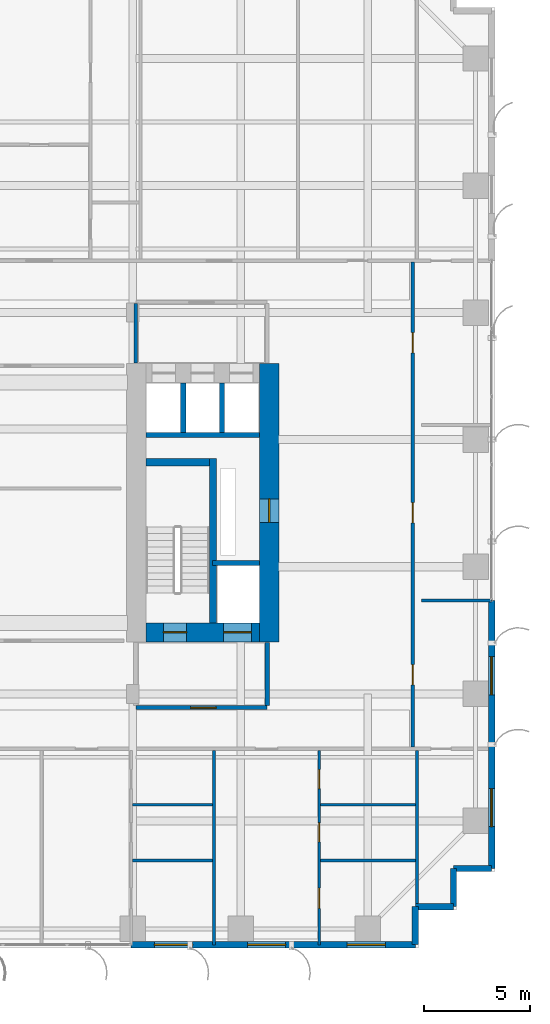
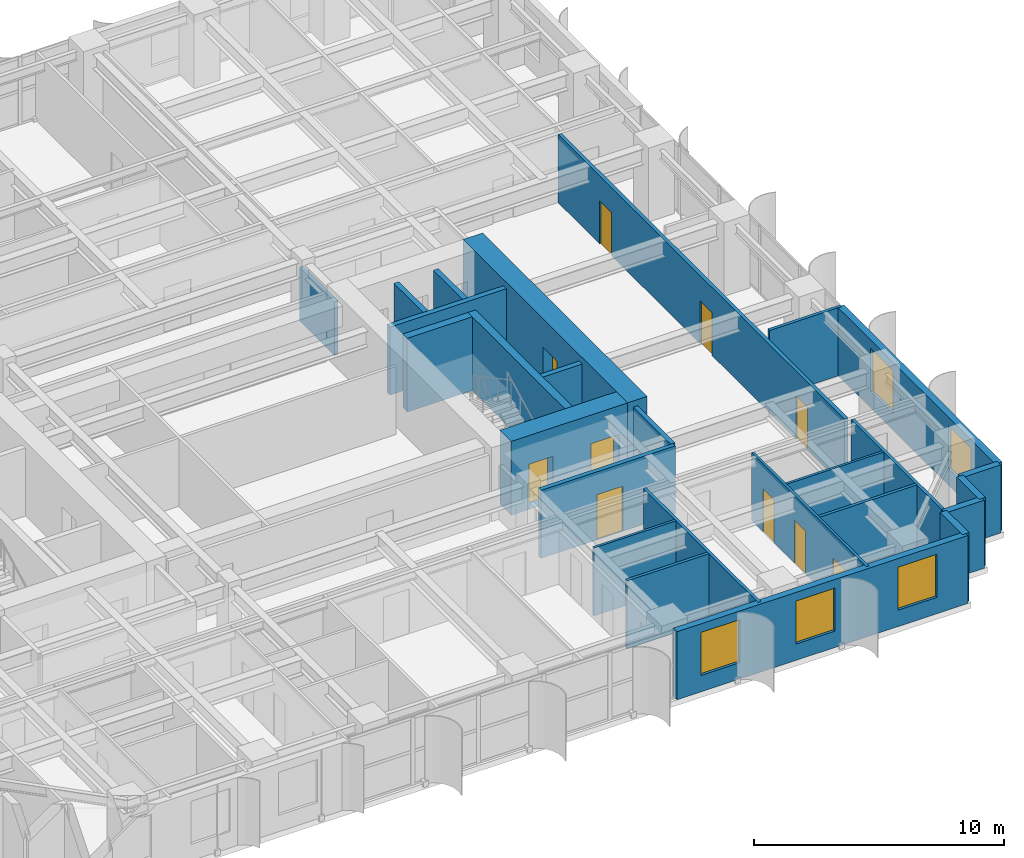
# One storey, part 17 of 23: 26 walls, 10 doors, 5 windows, 15 openings.
"""IFC4 building model written with IfcOpenShell, lengths in metres."""

import ifcopenshell
import ifcopenshell.guid

model = None  # the IFC model being written
_history = None  # IfcOwnerHistory: only IFC2X3 demands one
_inside = {}  # id of a spatial element -> (the spatial element, [elements in it])
_under = {}  # id of a project, library or spatial element -> (it, [spatial elements below it])
_declared = {}  # id of a project -> (the project, [libraries it declares])
_typed = {}  # id of a type object -> (the type object, [elements of that type])
_made_of = {}  # id of a material, layer set ... -> (it, [elements and type objects made of it])


def new_model(schema):
    """Start an empty IFC model of exactly this schema.

    Asked for "IFC4X3", IfcOpenShell would pick the latest addendum, in which some entities
    have other attributes; the version numbers below select the first issue.
    IFC2X3 requires an IfcOwnerHistory on every rooted entity: one is made here for all.
    """
    global model, _history
    if schema == "IFC4X3":
        model = ifcopenshell.file(schema_version=(4, 3, 0, 0))
    else:
        model = ifcopenshell.file(schema=schema)
    _inside.clear()
    _under.clear()
    _declared.clear()
    _typed.clear()
    _made_of.clear()
    _history = None
    if model.schema == "IFC2X3":
        org = make("IfcOrganization", Name="unknown")
        user = make(
            "IfcPersonAndOrganization",
            ThePerson=make("IfcPerson", FamilyName="unknown"),
            TheOrganization=org,
        )
        app = make(
            "IfcApplication",
            ApplicationDeveloper=org,
            Version="unknown",
            ApplicationFullName="unknown",
            ApplicationIdentifier="unknown",
        )
        _history = make(
            "IfcOwnerHistory",
            OwningUser=user,
            OwningApplication=app,
            ChangeAction="ADDED",
            CreationDate=0,
        )
    return model


def make(cls, **values):
    """One entity of the class cls with the attributes given. An attribute that is None is left unset."""
    return model.create_entity(
        cls, **{name: value for name, value in values.items() if value is not None}
    )


def rooted(cls, **values):
    """An entity with a GlobalId (a new one), such as an element, a storey or a relation."""
    return make(cls, GlobalId=ifcopenshell.guid.new(), OwnerHistory=_history, **values)


def si_unit(unit_type, name, prefix=None):
    """IfcSIUnit, for example si_unit("LENGTHUNIT", "METRE", prefix="MILLI")."""
    return make("IfcSIUnit", UnitType=unit_type, Prefix=prefix, Name=name)


def assignment(units):
    """IfcUnitAssignment: the units of a project."""
    return None if units is None else make("IfcUnitAssignment", Units=units)


def point(xyz):
    """IfcCartesianPoint."""
    return None if xyz is None else make("IfcCartesianPoint", Coordinates=xyz)


def direction(xyz):
    """IfcDirection."""
    return None if xyz is None else make("IfcDirection", DirectionRatios=xyz)


def frame(location, z_axis=None, x_axis=None):
    """IfcAxis2Placement3D, a coordinate frame: its origin and axes. An axis left out is left unset."""
    return make(
        "IfcAxis2Placement3D",
        Location=point(location),
        Axis=direction(z_axis),
        RefDirection=direction(x_axis),
    )


def frame_2d(location, x_axis=None):
    """IfcAxis2Placement2D, a coordinate frame in the plane: its origin and x axis."""
    return make(
        "IfcAxis2Placement2D", Location=point(location), RefDirection=direction(x_axis)
    )


def origin():
    """The frame at (0, 0, 0) with its axes left unset."""
    return frame((0.0, 0.0, 0.0))


def place(relative_to, where):
    """IfcLocalPlacement: puts the frame where relative to a parent placement (None: the world)."""
    return make(
        "IfcLocalPlacement", PlacementRelTo=relative_to, RelativePlacement=where
    )


def context(
    kind, dimensions, precision=None, world=None, true_north=None, identifier=None
):
    """IfcGeometricRepresentationContext, for example the 3D "Model" context."""
    return make(
        "IfcGeometricRepresentationContext",
        ContextIdentifier=identifier,
        ContextType=kind,
        CoordinateSpaceDimension=dimensions,
        Precision=precision,
        WorldCoordinateSystem=world,
        TrueNorth=true_north,
    )


def subcontext(parent, identifier, kind, view, scale=None):
    """IfcGeometricRepresentationSubContext, for example "Body" below "Model"."""
    return make(
        "IfcGeometricRepresentationSubContext",
        ContextIdentifier=identifier,
        ContextType=kind,
        ParentContext=parent,
        TargetScale=scale,
        TargetView=view,
    )


def project(units=None, contexts=None):
    """IfcProject with its units and contexts."""
    return rooted(
        "IfcProject",
        Name="project",
        RepresentationContexts=contexts,
        UnitsInContext=assignment(units),
    )


def spatial(cls, under=None, at=None, **own):
    """A site, building, storey or space (cls), placed at a placement, below another one or the project."""
    s = rooted(cls, ObjectPlacement=at, **own)
    if under is not None:
        _under.setdefault(under.id(), (under, []))[1].append(s)
    return s


def profile(cls, at=None, kind="AREA", **sizes):
    """A parametric profile (cls). Its sizes go by their IFC names, for example OverallWidth=200.0."""
    return make(cls, ProfileType=kind, Position=at, **sizes)


def rectangle(**sizes):
    """IfcRectangleProfileDef."""
    return profile("IfcRectangleProfileDef", **sizes)


def extrude(swept, where, along, depth):
    """IfcExtrudedAreaSolid: the profile swept, set in the frame where, extruded along a direction by depth."""
    return make(
        "IfcExtrudedAreaSolid",
        SweptArea=swept,
        Position=where,
        ExtrudedDirection=direction(along),
        Depth=depth,
    )


def shape(context_of_items, identifier, shape_type, items):
    """IfcShapeRepresentation: the items that make up one representation, for example the "Body"."""
    return make(
        "IfcShapeRepresentation",
        ContextOfItems=context_of_items,
        RepresentationIdentifier=identifier,
        RepresentationType=shape_type,
        Items=items,
    )


def source(mapping_origin, context_of_items, identifier, shape_type, items):
    """IfcRepresentationMap: a shape defined once, which mapped items show again and again."""
    return make(
        "IfcRepresentationMap",
        MappingOrigin=mapping_origin,
        MappedRepresentation=shape(context_of_items, identifier, shape_type, items),
    )


def transform(
    local_origin,
    x_axis=None,
    y_axis=None,
    z_axis=None,
    scale=None,
    scale2=None,
    scale3=None,
    uniform=True,
):
    """IfcCartesianTransformationOperator3D, or its non-uniform kind. x_axis, y_axis, z_axis: its Axis1, 2, 3."""
    if uniform:
        return make(
            "IfcCartesianTransformationOperator3D",
            Axis1=direction(x_axis),
            Axis2=direction(y_axis),
            LocalOrigin=point(local_origin),
            Scale=scale,
            Axis3=direction(z_axis),
        )
    return make(
        "IfcCartesianTransformationOperator3DnonUniform",
        Axis1=direction(x_axis),
        Axis2=direction(y_axis),
        LocalOrigin=point(local_origin),
        Scale=scale,
        Axis3=direction(z_axis),
        Scale2=scale2,
        Scale3=scale3,
    )


def mapped(mapping_source, mapping_target):
    """IfcMappedItem: shows the shape of a source again, moved by a transform."""
    return make(
        "IfcMappedItem", MappingSource=mapping_source, MappingTarget=mapping_target
    )


def material(Name=None, Category=None):
    """IfcMaterial."""
    return make("IfcMaterial", Name=Name, Category=Category)


def layer(
    of_material, thickness, ventilated=None, Name=None, Category=None, Priority=None
):
    """IfcMaterialLayer: one layer of a wall or slab, of a material (None: an air gap)."""
    return make(
        "IfcMaterialLayer",
        Material=of_material,
        LayerThickness=thickness,
        IsVentilated=ventilated,
        Name=Name,
        Category=Category,
        Priority=Priority,
    )


def layer_set(layers, Name=None):
    """IfcMaterialLayerSet."""
    return make("IfcMaterialLayerSet", MaterialLayers=layers, LayerSetName=Name)


def made_of(thing, what):
    """Note that an element or type object is made of a material, layer set ...; save() writes the relation."""
    if what is not None:
        _made_of.setdefault(what.id(), (what, []))[1].append(thing)
    return thing


def type_object(cls, material=None, **own):
    """A type object (cls), such as IfcWallType, which elements share."""
    return made_of(rooted(cls, **own), material)


def element(
    cls,
    number,
    at=None,
    inside=None,
    cuts=None,
    type_object=None,
    material=None,
    context=None,
    identifier="Body",
    shape_type=None,
    held_by="IfcProductDefinitionShape",
    body=None,
    shapes=None,
    **own,
):
    """One element of the class cls, such as IfcWall. Its Tag is "e" and its number.

    at: its placement. inside: the storey or other place that contains it. cuts: it is an
    opening in that element (IfcRelVoidsElement). A single representation is given by context,
    identifier, shape_type and body (its items); several are given by shapes. held_by: the class
    of the entity that holds the representations. save() writes the other relations.
    """
    e = rooted(cls, Tag="e%d" % number, ObjectPlacement=at, **own)
    if body is not None:
        shapes = [shape(context, identifier, shape_type, body)]
    if shapes is not None:
        e.Representation = make(held_by, Representations=shapes)
    if inside is not None:
        _inside.setdefault(inside.id(), (inside, []))[1].append(e)
    if cuts is not None:
        rooted(
            "IfcRelVoidsElement", RelatingBuildingElement=cuts, RelatedOpeningElement=e
        )
    if type_object is not None:
        _typed.setdefault(type_object.id(), (type_object, []))[1].append(e)
    return made_of(e, material)


def fill(opening, filler):
    """IfcRelFillsElement: the door or window that sits in an opening."""
    return rooted(
        "IfcRelFillsElement",
        RelatingOpeningElement=opening,
        RelatedBuildingElement=filler,
    )


def aggregate(whole, parts):
    """IfcRelAggregates: a whole, such as a stair, and the parts it consists of."""
    return rooted("IfcRelAggregates", RelatingObject=whole, RelatedObjects=parts)


def save(model, path):
    """Write the relations noted so far, then the file.

    IfcRelAggregates (storeys below a building ...), IfcRelContainedInSpatialStructure (elements
    in a storey), IfcRelDefinesByType, IfcRelAssociatesMaterial and IfcRelDeclares: one each for
    every whole, place, type object, material and project.
    """
    for whole, parts in _under.values():
        aggregate(whole, parts)
    for where, things in _inside.values():
        rooted(
            "IfcRelContainedInSpatialStructure",
            RelatedElements=things,
            RelatingStructure=where,
        )
    for kind, things in _typed.values():
        rooted("IfcRelDefinesByType", RelatedObjects=things, RelatingType=kind)
    for what, things in _made_of.values():
        rooted("IfcRelAssociatesMaterial", RelatedObjects=things, RelatingMaterial=what)
    for by, libraries in _declared.values():
        rooted("IfcRelDeclares", RelatingContext=by, RelatedDefinitions=libraries)
    model.write(path)


model = new_model("IFC4")

# Units and contexts
model_context = context("Model", 3, precision=1e-05, world=origin(), true_north=direction((0.0, 1.0)))
body_context = subcontext(model_context, "Body", "Model", "MODEL_VIEW")
ifc_project = project(units=[si_unit("LENGTHUNIT", "METRE"), si_unit("AREAUNIT", "SQUARE_METRE"), si_unit("VOLUMEUNIT", "CUBIC_METRE"), si_unit("PLANEANGLEUNIT", "RADIAN"), si_unit("MASSUNIT", "GRAM", prefix="KILO")], contexts=[model_context])

# Site, building, storey
site_placement = place(None, origin())
site = spatial("IfcSite", under=ifc_project, at=site_placement, CompositionType="ELEMENT")
building_placement = place(site_placement, origin())
building = spatial("IfcBuilding", under=site, at=building_placement, Name="Khoralis Quay Care Tower", CompositionType="ELEMENT")
storey_placement = place(building_placement, frame((0.0, 0.0, 36.89990234375)))
storey = spatial("IfcBuildingStorey", under=building, at=storey_placement, Name="L09", CompositionType="ELEMENT", Elevation=36.89990234375)

# Wall, opening, door
ifc_material_1 = material(Name="Gypsum plasterboard on acoustic metal stud")
ifc_layer_1 = layer(ifc_material_1, 0.199951171875)
ifc_layer_set_1 = layer_set([ifc_layer_1], Name="Gypsum plasterboard on acoustic metal stud")
wall_type_1 = type_object("IfcWallType", Name="WL-COMP-200", PredefinedType="PARTITIONING", material=ifc_layer_set_1)
wall_1_placement = place(storey_placement, frame((31.050048828125, 11.35009765625, 0.0), z_axis=(0.0, 0.0, 1.0), x_axis=(1.0, 0.0, 0.0)))
wall_1 = element("IfcWall", 1, at=wall_1_placement, inside=storey, type_object=wall_type_1, Name="L09 East Firefighting Lobby South Wall", PredefinedType="PARTITIONING", context=body_context, shape_type="SweptSolid", body=[
    extrude(rectangle(XDim=6.199951171875, YDim=0.199951171875, at=frame_2d((3.10009765625, 0.0))), origin(), (0.0, 0.0, 1.0), 3.320068359375),
])
opening_1_placement = place(wall_1_placement, frame((2.585693359375, 0.0, 0.0)))
opening_1 = element("IfcOpeningElement", 2, at=opening_1_placement, cuts=wall_1, Name="Opening FD1", PredefinedType="OPENING", context=body_context, shape_type="SweptSolid", body=[
    extrude(rectangle(XDim=1.199951171875, YDim=2.199951171875, at=frame_2d((0.60009765625, 1.10009765625))), frame((0.0, 0.10986328125, 0.0), z_axis=(0.0, -1.0, 0.0), x_axis=(1.0, 0.0, 0.0)), (0.0, 0.0, 1.0), 0.219970703125),
])
ifc_material_2 = material(Name="Fire-rated painted steel", Category="steel")
door_type_1 = type_object("IfcDoorType", Name="DR-FFL-1200X2200", OperationType="NOTDEFINED", PredefinedType="DOOR", material=ifc_material_2)
shared_shape_1 = source(origin(), body_context, "Body", "SweptSolid", [
    extrude(rectangle(XDim=1.199951171875, YDim=2.199951171875, at=frame_2d((0.60009765625, 1.10009765625))), frame((0.0, 0.02490234375, 0.0), z_axis=(0.0, -1.0, 0.0), x_axis=(1.0, 0.0, 0.0)), (0.0, 0.0, 1.0), 0.050048828125),
])
door_1_placement = place(opening_1_placement, origin())
door_1 = element("IfcDoor", 3, at=door_1_placement, inside=storey, type_object=door_type_1, Name="L09 East Firefighting Lobby Fire Door", OperationType="SINGLE_SWING_RIGHT", OverallHeight=2.199951171875, OverallWidth=1.199951171875, PredefinedType="DOOR", context=body_context, shape_type="MappedRepresentation", body=[
    mapped(shared_shape_1, transform((0.0, 0.0, 0.0), scale=1.0)),
])
fill(opening_1, door_1)

# Wall
wall_2_placement = place(storey_placement, frame((37.25, 11.445068359375, 0.0), z_axis=(0.0, 0.0, 1.0), x_axis=(0.0, 1.0, 0.0)))
element("IfcWall", 4, at=wall_2_placement, inside=storey, type_object=wall_type_1, Name="L09 East Firefighting Lobby East Wall", PredefinedType="PARTITIONING", context=body_context, shape_type="SweptSolid", body=[
    extrude(rectangle(XDim=2.98486328125, YDim=0.199951171875, at=frame_2d((1.492431640625, 0.0))), origin(), (0.0, 0.0, 1.0), 3.320068359375),
])

# Wall, opening, door
ifc_material_3 = material(Name="Concrete C80/95", Category="concrete")
ifc_layer_2 = layer(ifc_material_3, 0.89990234375)
ifc_layer_set_2 = layer_set([ifc_layer_2], Name="Concrete C80/95")
wall_type_2 = type_object("IfcWallType", Name="WL-CORE-900", PredefinedType="SHEAR", material=ifc_layer_set_2)
wall_3_placement = place(storey_placement, frame((37.35009765625, 14.449951171875, 0.0), z_axis=(0.0, 0.0, 1.0), x_axis=(0.0, 1.0, 0.0)))
wall_3 = element("IfcWall", 5, at=wall_3_placement, inside=storey, type_object=wall_type_2, Name="L09 ECORE East Shear Wall", PredefinedType="SHEAR", context=body_context, shape_type="SweptSolid", body=[
    extrude(rectangle(XDim=13.150146484375, YDim=0.89990234375, at=frame_2d((6.5751953125, 0.0))), origin(), (0.0, 0.0, 1.0), 3.60009765625),
])
opening_2_placement = place(wall_3_placement, frame((5.64990234375, 0.0, 0.0)))
opening_2 = element("IfcOpeningElement", 6, at=opening_2_placement, cuts=wall_3, Name="Opening SD1", PredefinedType="OPENING", context=body_context, shape_type="SweptSolid", body=[
    extrude(rectangle(XDim=1.10009765625, YDim=2.199951171875, at=frame_2d((0.550048828125, 1.10009765625))), frame((0.0, 0.4599609375, 0.0), z_axis=(0.0, -1.0, 0.0), x_axis=(1.0, 0.0, 0.0)), (0.0, 0.0, 1.0), 0.919921875),
])
door_type_2 = type_object("IfcDoorType", Name="DR-STAIR-1100X2200", OperationType="NOTDEFINED", PredefinedType="DOOR", material=ifc_material_2)
shared_shape_2 = source(origin(), body_context, "Body", "SweptSolid", [
    extrude(rectangle(XDim=1.10009765625, YDim=2.199951171875, at=frame_2d((0.550048828125, 1.10009765625))), frame((0.0, 0.02490234375, 0.0), z_axis=(0.0, -1.0, 0.0), x_axis=(1.0, 0.0, 0.0)), (0.0, 0.0, 1.0), 0.050048828125),
])
door_2_placement = place(opening_2_placement, frame((1.10009765625, 0.0, 0.0), z_axis=(0.0, 0.0, 1.0), x_axis=(-1.0, 0.0, 0.0)))
door_2 = element("IfcDoor", 7, at=door_2_placement, inside=storey, type_object=door_type_2, Name="L09 East MEP Riser Door", OperationType="SINGLE_SWING_RIGHT", OverallHeight=2.199951171875, OverallWidth=1.10009765625, PredefinedType="DOOR", context=body_context, shape_type="MappedRepresentation", body=[
    mapped(shared_shape_2, transform((0.0, 0.0, 0.0), scale=1.0)),
])
fill(opening_2, door_2)

# Wall, openings, doors
wall_4_placement = place(storey_placement, frame((31.52001953125, 14.89990234375, 0.0), z_axis=(0.0, 0.0, 1.0), x_axis=(1.0, 0.0, 0.0)))
wall_4 = element("IfcWall", 8, at=wall_4_placement, inside=storey, type_object=wall_type_2, Name="L09 ECORE South Shear Wall", PredefinedType="SHEAR", context=body_context, shape_type="SweptSolid", body=[
    extrude(rectangle(XDim=5.3798828125, YDim=0.89990234375, at=frame_2d((2.68994140625, 0.0))), origin(), (0.0, 0.0, 1.0), 3.60009765625),
])
opening_3_placement = place(wall_4_placement, frame((0.830078125, 0.0, 0.0)))
opening_3 = element("IfcOpeningElement", 9, at=opening_3_placement, cuts=wall_4, Name="Opening SD1", PredefinedType="OPENING", context=body_context, shape_type="SweptSolid", body=[
    extrude(rectangle(XDim=1.10009765625, YDim=2.199951171875, at=frame_2d((0.550048828125, 1.10009765625))), frame((0.0, 0.4599609375, 0.0), z_axis=(0.0, -1.0, 0.0), x_axis=(1.0, 0.0, 0.0)), (0.0, 0.0, 1.0), 0.919921875),
])
opening_4_placement = place(wall_4_placement, frame((3.679931640625, 0.0, 0.0)))
opening_4 = element("IfcOpeningElement", 10, at=opening_4_placement, cuts=wall_4, Name="Opening LD2", PredefinedType="OPENING", context=body_context, shape_type="SweptSolid", body=[
    extrude(rectangle(XDim=1.300048828125, YDim=2.199951171875, at=frame_2d((0.64990234375, 1.10009765625))), frame((0.0, 0.4599609375, 0.0), z_axis=(0.0, -1.0, 0.0), x_axis=(1.0, 0.0, 0.0)), (0.0, 0.0, 1.0), 0.919921875),
])
door_3_placement = place(opening_3_placement, origin())
door_3 = element("IfcDoor", 11, at=door_3_placement, inside=storey, type_object=door_type_2, Name="L09 Stair ST-T2 Fire Door", OperationType="SINGLE_SWING_RIGHT", OverallHeight=2.199951171875, OverallWidth=1.10009765625, PredefinedType="DOOR", context=body_context, shape_type="MappedRepresentation", body=[
    mapped(shared_shape_2, transform((0.0, 0.0, 0.0), scale=1.0)),
])
fill(opening_3, door_3)
ifc_material_4 = material(Name="Brushed stainless steel", Category="steel")
door_type_3 = type_object("IfcDoorType", Name="DR-LIFT-1300X2200", OperationType="SLIDING_TO_RIGHT", PredefinedType="DOOR", material=ifc_material_4)
shared_shape_3 = source(origin(), body_context, "Body", "SweptSolid", [
    extrude(rectangle(XDim=1.300048828125, YDim=2.199951171875, at=frame_2d((0.64990234375, 1.10009765625))), frame((0.0, 0.02490234375, 0.0), z_axis=(0.0, -1.0, 0.0), x_axis=(1.0, 0.0, 0.0)), (0.0, 0.0, 1.0), 0.050048828125),
])
door_4_placement = place(opening_4_placement, origin())
door_4 = element("IfcDoor", 12, at=door_4_placement, inside=storey, type_object=door_type_3, Name="L09 Firefighting Lift FFL-2 Landing Door", OperationType="SLIDING_TO_RIGHT", OverallHeight=2.199951171875, OverallWidth=1.300048828125, PredefinedType="DOOR", context=body_context, shape_type="MappedRepresentation", body=[
    mapped(shared_shape_3, transform((0.0, 0.0, 0.0), scale=1.0)),
])
fill(opening_4, door_4)

# Wall
ifc_layer_3 = layer(ifc_material_1, 0.1650390625)
ifc_layer_set_3 = layer_set([ifc_layer_3], Name="Gypsum plasterboard on acoustic metal stud")
wall_type_3 = type_object("IfcWallType", Name="WL-CORR-165", PredefinedType="PARTITIONING", material=ifc_layer_set_3)
wall_5_placement = place(storey_placement, frame((31.050048828125, 27.6201171875, 0.0), z_axis=(0.0, 0.0, 1.0), x_axis=(0.0, 1.0, 0.0)))
element("IfcWall", 13, at=wall_5_placement, inside=storey, type_object=wall_type_3, Name="L09 East Lift Lobby West Wall", PredefinedType="PARTITIONING", context=body_context, shape_type="SweptSolid", body=[
    extrude(rectangle(XDim=2.802490234375, YDim=0.1650390625, at=frame_2d((1.4013671875, 0.0))), origin(), (0.0, 0.0, 1.0), 2.625),
])

# Wall, openings, doors
wall_6_placement = place(storey_placement, frame((44.1201171875, 9.4775390625, 0.0), z_axis=(0.0, 0.0, 1.0), x_axis=(0.0, 1.0, 0.0)))
wall_6 = element("IfcWall", 14, at=wall_6_placement, inside=storey, type_object=wall_type_3, Name="L09 East Loop Corridor Wall", PredefinedType="PARTITIONING", context=body_context, shape_type="SweptSolid", body=[
    extrude(rectangle(XDim=22.905029296875, YDim=0.1650390625, at=frame_2d((11.45263671875, 0.0))), origin(), (0.0, 0.0, 1.0), 3.320068359375),
])
opening_5_placement = place(wall_6_placement, frame((2.947509765625, 0.0, 0.0)))
opening_5 = element("IfcOpeningElement", 15, at=opening_5_placement, cuts=wall_6, Name="Opening ID1", PredefinedType="OPENING", context=body_context, shape_type="SweptSolid", body=[
    extrude(rectangle(XDim=0.949951171875, YDim=2.10009765625, at=frame_2d((0.47509765625, 1.050048828125))), frame((0.0, 0.092529296875, 0.0), z_axis=(0.0, -1.0, 0.0), x_axis=(1.0, 0.0, 0.0)), (0.0, 0.0, 1.0), 0.18505859375),
])
opening_6_placement = place(wall_6_placement, frame((10.597412109375, 0.0, 0.0)))
opening_6 = element("IfcOpeningElement", 16, at=opening_6_placement, cuts=wall_6, Name="Opening ID1", PredefinedType="OPENING", context=body_context, shape_type="SweptSolid", body=[
    extrude(rectangle(XDim=0.949951171875, YDim=2.10009765625, at=frame_2d((0.47509765625, 1.050048828125))), frame((0.0, 0.092529296875, 0.0), z_axis=(0.0, -1.0, 0.0), x_axis=(1.0, 0.0, 0.0)), (0.0, 0.0, 1.0), 0.18505859375),
])
opening_7_placement = place(wall_6_placement, frame((18.62744140625, 0.0, 0.0)))
opening_7 = element("IfcOpeningElement", 17, at=opening_7_placement, cuts=wall_6, Name="Opening ID1", PredefinedType="OPENING", context=body_context, shape_type="SweptSolid", body=[
    extrude(rectangle(XDim=0.949951171875, YDim=2.10009765625, at=frame_2d((0.47509765625, 1.050048828125))), frame((0.0, 0.092529296875, 0.0), z_axis=(0.0, -1.0, 0.0), x_axis=(1.0, 0.0, 0.0)), (0.0, 0.0, 1.0), 0.18505859375),
])
ifc_material_5 = material(Name="Acoustic hardwood timber", Category="wood")
door_type_4 = type_object("IfcDoorType", Name="DR-ROOM-950X2100", OperationType="NOTDEFINED", PredefinedType="DOOR", material=ifc_material_5)
shared_shape_4 = source(origin(), body_context, "Body", "SweptSolid", [
    extrude(rectangle(XDim=0.949951171875, YDim=2.10009765625, at=frame_2d((0.47509765625, 1.050048828125))), frame((0.0, 0.02490234375, 0.0), z_axis=(0.0, -1.0, 0.0), x_axis=(1.0, 0.0, 0.0)), (0.0, 0.0, 1.0), 0.050048828125),
])
door_5_placement = place(opening_5_placement, frame((0.949951171875, 0.0, 0.0), z_axis=(0.0, 0.0, 1.0), x_axis=(-1.0, 0.0, 0.0)))
door_5 = element("IfcDoor", 18, at=door_5_placement, inside=storey, type_object=door_type_4, Name="L09 Therapy Consultation Room Door", OperationType="SINGLE_SWING_LEFT", OverallHeight=2.10009765625, OverallWidth=0.949951171875, PredefinedType="DOOR", context=body_context, shape_type="MappedRepresentation", body=[
    mapped(shared_shape_4, transform((0.0, 0.0, 0.0), scale=1.0)),
])
fill(opening_5, door_5)
door_6_placement = place(opening_6_placement, frame((0.949951171875, 0.0, 0.0), z_axis=(0.0, 0.0, 1.0), x_axis=(-1.0, 0.0, 0.0)))
door_6 = element("IfcDoor", 19, at=door_6_placement, inside=storey, type_object=door_type_4, Name="L09 Assisted Activity Lounge Door", OperationType="SINGLE_SWING_RIGHT", OverallHeight=2.10009765625, OverallWidth=0.949951171875, PredefinedType="DOOR", context=body_context, shape_type="MappedRepresentation", body=[
    mapped(shared_shape_4, transform((0.0, 0.0, 0.0), scale=1.0)),
])
fill(opening_6, door_6)
door_7_placement = place(opening_7_placement, frame((0.949951171875, 0.0, 0.0), z_axis=(0.0, 0.0, 1.0), x_axis=(-1.0, 0.0, 0.0)))
door_7 = element("IfcDoor", 20, at=door_7_placement, inside=storey, type_object=door_type_4, Name="L09 Nurse Charting Office Door", OperationType="SINGLE_SWING_LEFT", OverallHeight=2.10009765625, OverallWidth=0.949951171875, PredefinedType="DOOR", context=body_context, shape_type="MappedRepresentation", body=[
    mapped(shared_shape_4, transform((0.0, 0.0, 0.0), scale=1.0)),
])
fill(opening_7, door_7)

# Wall, openings, windows
ifc_material_6 = material(Name="Precast concrete C45/55", Category="concrete")
ifc_layer_4 = layer(ifc_material_6, 0.300048828125)
ifc_layer_set_4 = layer_set([ifc_layer_4], Name="Precast concrete C45/55")
wall_type_4 = type_object("IfcWallType", Name="WL-EXT-REF-300", PredefinedType="SOLIDWALL", material=ifc_layer_set_4)
wall_7_placement = place(storey_placement, frame((30.827880859375, 0.14990234375, 0.0), z_axis=(0.0, 0.0, 1.0), x_axis=(1.0, 0.0, 0.0)))
wall_7 = element("IfcWall", 21, at=wall_7_placement, inside=storey, type_object=wall_type_4, Name="L09 External Facade Wall WL-EXT-L09-P1-E0B", PredefinedType="SOLIDWALL", context=body_context, shape_type="SweptSolid", body=[
    extrude(rectangle(XDim=13.422119140625, YDim=0.300048828125, at=frame_2d((6.7109375, 0.0))), origin(), (0.0, 0.0, 1.0), 3.320068359375),
])
opening_8_placement = place(wall_7_placement, frame((1.10107421875, 0.0, 0.800048828125)))
opening_8 = element("IfcOpeningElement", 22, at=opening_8_placement, cuts=wall_7, Name="Opening W2", PredefinedType="OPENING", context=body_context, shape_type="SweptSolid", body=[
    extrude(rectangle(XDim=1.800048828125, YDim=2.10009765625, at=frame_2d((0.89990234375, 1.050048828125))), frame((0.0, 0.16015625, 0.0), z_axis=(0.0, -1.0, 0.0), x_axis=(1.0, 0.0, 0.0)), (0.0, 0.0, 1.0), 0.320068359375),
])
opening_9_placement = place(wall_7_placement, frame((5.49560546875, 0.0, 0.800048828125)))
opening_9 = element("IfcOpeningElement", 23, at=opening_9_placement, cuts=wall_7, Name="Opening W2", PredefinedType="OPENING", context=body_context, shape_type="SweptSolid", body=[
    extrude(rectangle(XDim=1.800048828125, YDim=2.10009765625, at=frame_2d((0.89990234375, 1.050048828125))), frame((0.0, 0.16015625, 0.0), z_axis=(0.0, -1.0, 0.0), x_axis=(1.0, 0.0, 0.0)), (0.0, 0.0, 1.0), 0.320068359375),
])
opening_10_placement = place(wall_7_placement, frame((10.20556640625, 0.0, 0.800048828125)))
opening_10 = element("IfcOpeningElement", 24, at=opening_10_placement, cuts=wall_7, Name="Opening W2", PredefinedType="OPENING", context=body_context, shape_type="SweptSolid", body=[
    extrude(rectangle(XDim=1.800048828125, YDim=2.10009765625, at=frame_2d((0.89990234375, 1.050048828125))), frame((0.0, 0.16015625, 0.0), z_axis=(0.0, -1.0, 0.0), x_axis=(1.0, 0.0, 0.0)), (0.0, 0.0, 1.0), 0.320068359375),
])
ifc_material_7 = material(Name="Low-E solar-control double glazing", Category="glass")
window_type = type_object("IfcWindowType", Name="WN-POD-1800X2100", PartitioningType="SINGLE_PANEL", PredefinedType="WINDOW", material=ifc_material_7)
shared_shape_5 = source(origin(), body_context, "Body", "SweptSolid", [
    extrude(rectangle(XDim=1.800048828125, YDim=2.10009765625, at=frame_2d((0.89990234375, 1.050048828125))), frame((0.0, 0.030029296875, 0.0), z_axis=(0.0, -1.0, 0.0), x_axis=(1.0, 0.0, 0.0)), (0.0, 0.0, 1.0), 0.06005859375),
])
window_1_placement = place(opening_8_placement, origin())
window_1 = element("IfcWindow", 25, at=window_1_placement, inside=storey, type_object=window_type, Name="WN-L09-P1-E0B Facade Window 01", OverallHeight=2.10009765625, OverallWidth=1.800048828125, PartitioningType="SINGLE_PANEL", PredefinedType="WINDOW", context=body_context, shape_type="MappedRepresentation", body=[
    mapped(shared_shape_5, transform((0.0, 0.0, 0.0), scale=1.0)),
])
fill(opening_8, window_1)
window_2_placement = place(opening_9_placement, origin())
window_2 = element("IfcWindow", 26, at=window_2_placement, inside=storey, type_object=window_type, Name="WN-L09-P1-E0B Facade Window 02", OverallHeight=2.10009765625, OverallWidth=1.800048828125, PartitioningType="SINGLE_PANEL", PredefinedType="WINDOW", context=body_context, shape_type="MappedRepresentation", body=[
    mapped(shared_shape_5, transform((0.0, 0.0, 0.0), scale=1.0)),
])
fill(opening_9, window_2)
window_3_placement = place(opening_10_placement, origin())
window_3 = element("IfcWindow", 27, at=window_3_placement, inside=storey, type_object=window_type, Name="WN-L09-P1-E0B Facade Window 03", OverallHeight=2.10009765625, OverallWidth=1.800048828125, PartitioningType="SINGLE_PANEL", PredefinedType="WINDOW", context=body_context, shape_type="MappedRepresentation", body=[
    mapped(shared_shape_5, transform((0.0, 0.0, 0.0), scale=1.0)),
])
fill(opening_10, window_3)

# Walls
for number, where, z_axis, x_axis, name in (
    (28, (44.25, 0.14990234375, 0.0), (0.0, 0.0, 1.0), (0.0, 1.0, 0.0), "L09 External Facade Wall WL-EXT-L09-P1-C1"),
    (29, (44.25, 1.949951171875, 0.0), (0.0, 0.0, 1.0), (1.0, 0.0, 0.0), "L09 External Facade Wall WL-EXT-L09-P1-C2"),
    (30, (46.050048828125, 1.949951171875, 0.0), (0.0, 0.0, 1.0), (0.0, 1.0, 0.0), "L09 External Facade Wall WL-EXT-L09-P1-C3"),
    (31, (46.050048828125, 3.75, 0.0), (0.0, 0.0, 1.0), (1.0, 0.0, 0.0), "L09 External Facade Wall WL-EXT-L09-P1-C4"),
):
    element("IfcWall", number, at=place(storey_placement, frame(where, z_axis=z_axis, x_axis=x_axis)), inside=storey, type_object=wall_type_4, Name=name, PredefinedType="SOLIDWALL", context=body_context, shape_type="SweptSolid", body=[
        extrude(rectangle(XDim=1.800048828125, YDim=0.300048828125, at=frame_2d((0.89990234375, 0.0))), origin(), (0.0, 0.0, 1.0), 3.320068359375),
    ])

# Wall, openings, windows
wall_8_placement = place(storey_placement, frame((47.85009765625, 3.75, 0.0), z_axis=(0.0, 0.0, 1.0), x_axis=(0.0, 1.0, 0.0)))
wall_8 = element("IfcWall", 32, at=wall_8_placement, inside=storey, type_object=wall_type_4, Name="L09 External Facade Wall WL-EXT-L09-P1-E5A", PredefinedType="SOLIDWALL", context=body_context, shape_type="SweptSolid", body=[
    extrude(rectangle(XDim=12.64990234375, YDim=0.300048828125, at=frame_2d((6.324951171875, 0.0))), origin(), (0.0, 0.0, 1.0), 3.320068359375),
])
opening_11_placement = place(wall_8_placement, frame((1.97509765625, 0.0, 0.800048828125)))
opening_11 = element("IfcOpeningElement", 33, at=opening_11_placement, cuts=wall_8, Name="Opening W2", PredefinedType="OPENING", context=body_context, shape_type="SweptSolid", body=[
    extrude(rectangle(XDim=1.800048828125, YDim=2.10009765625, at=frame_2d((0.89990234375, 1.050048828125))), frame((0.0, 0.16015625, 0.0), z_axis=(0.0, -1.0, 0.0), x_axis=(1.0, 0.0, 0.0)), (0.0, 0.0, 1.0), 0.320068359375),
])
opening_12_placement = place(wall_8_placement, frame((8.199951171875, 0.0, 0.800048828125)))
opening_12 = element("IfcOpeningElement", 34, at=opening_12_placement, cuts=wall_8, Name="Opening W2", PredefinedType="OPENING", context=body_context, shape_type="SweptSolid", body=[
    extrude(rectangle(XDim=1.800048828125, YDim=2.10009765625, at=frame_2d((0.89990234375, 1.050048828125))), frame((0.0, 0.16015625, 0.0), z_axis=(0.0, -1.0, 0.0), x_axis=(1.0, 0.0, 0.0)), (0.0, 0.0, 1.0), 0.320068359375),
])
window_4_placement = place(opening_11_placement, origin())
window_4 = element("IfcWindow", 35, at=window_4_placement, inside=storey, type_object=window_type, Name="WN-L09-P1-E5A Facade Window 01", OverallHeight=2.10009765625, OverallWidth=1.800048828125, PartitioningType="SINGLE_PANEL", PredefinedType="WINDOW", context=body_context, shape_type="MappedRepresentation", body=[
    mapped(shared_shape_5, transform((0.0, 0.0, 0.0), scale=1.0)),
])
fill(opening_11, window_4)
window_5_placement = place(opening_12_placement, origin())
window_5 = element("IfcWindow", 36, at=window_5_placement, inside=storey, type_object=window_type, Name="WN-L09-P1-E5A Facade Window 02", OverallHeight=2.10009765625, OverallWidth=1.800048828125, PartitioningType="SINGLE_PANEL", PredefinedType="WINDOW", context=body_context, shape_type="MappedRepresentation", body=[
    mapped(shared_shape_5, transform((0.0, 0.0, 0.0), scale=1.0)),
])
fill(opening_12, window_5)

# Wall
ifc_layer_5 = layer(ifc_material_1, 0.114990234375)
ifc_layer_set_5 = layer_set([ifc_layer_5], Name="Gypsum plasterboard on acoustic metal stud")
wall_type_5 = type_object("IfcWallType", Name="WL-PART-115", PredefinedType="PARTITIONING", material=ifc_layer_set_5)
wall_9_placement = place(storey_placement, frame((30.880615234375, 6.76806640625, 0.0), z_axis=(0.0, 0.0, 1.0), x_axis=(1.0, 0.0, 0.0)))
element("IfcWall", 37, at=wall_9_placement, inside=storey, type_object=wall_type_5, Name="L09 Unit 3 Kitchen Wall", PredefinedType="PARTITIONING", context=body_context, shape_type="SweptSolid", body=[
    extrude(rectangle(XDim=3.784423828125, YDim=0.114990234375, at=frame_2d((1.89208984375, 0.0))), origin(), (0.0, 0.0, 1.0), 3.320068359375),
])

# Wall, openings, doors
wall_10_placement = place(storey_placement, frame((39.717041015625, 0.14501953125, 0.0), z_axis=(0.0, 0.0, 1.0), x_axis=(0.0, 1.0, 0.0)))
wall_10 = element("IfcWall", 38, at=wall_10_placement, inside=storey, type_object=wall_type_5, Name="L09 Unit 4 Internal Wall", PredefinedType="PARTITIONING", context=body_context, shape_type="SweptSolid", body=[
    extrude(rectangle(XDim=9.177490234375, YDim=0.114990234375, at=frame_2d((4.5888671875, 0.0))), origin(), (0.0, 0.0, 1.0), 3.320068359375),
])
opening_13_placement = place(wall_10_placement, frame((1.722900390625, 0.0, 0.0)))
opening_13 = element("IfcOpeningElement", 39, at=opening_13_placement, cuts=wall_10, Name="Opening ID1", PredefinedType="OPENING", context=body_context, shape_type="SweptSolid", body=[
    extrude(rectangle(XDim=0.949951171875, YDim=2.10009765625, at=frame_2d((0.47509765625, 1.050048828125))), frame((0.0, 0.0673828125, 0.0), z_axis=(0.0, -1.0, 0.0), x_axis=(1.0, 0.0, 0.0)), (0.0, 0.0, 1.0), 0.135009765625),
])
opening_14_placement = place(wall_10_placement, frame((4.85693359375, 0.0, 0.0)))
opening_14 = element("IfcOpeningElement", 40, at=opening_14_placement, cuts=wall_10, Name="Opening WD1", PredefinedType="OPENING", context=body_context, shape_type="SweptSolid", body=[
    extrude(rectangle(XDim=0.89990234375, YDim=2.10009765625, at=frame_2d((0.449951171875, 1.050048828125))), frame((0.0, 0.0673828125, 0.0), z_axis=(0.0, -1.0, 0.0), x_axis=(1.0, 0.0, 0.0)), (0.0, 0.0, 1.0), 0.135009765625),
])
opening_15_placement = place(wall_10_placement, frame((7.3740234375, 0.0, 0.0)))
opening_15 = element("IfcOpeningElement", 41, at=opening_15_placement, cuts=wall_10, Name="Opening WD1", PredefinedType="OPENING", context=body_context, shape_type="SweptSolid", body=[
    extrude(rectangle(XDim=0.89990234375, YDim=2.10009765625, at=frame_2d((0.449951171875, 1.050048828125))), frame((0.0, 0.0673828125, 0.0), z_axis=(0.0, -1.0, 0.0), x_axis=(1.0, 0.0, 0.0)), (0.0, 0.0, 1.0), 0.135009765625),
])
door_type_5 = type_object("IfcDoorType", Name="DR-BATH-900X2100", OperationType="NOTDEFINED", PredefinedType="DOOR", material=ifc_material_5)
shared_shape_6 = source(origin(), body_context, "Body", "SweptSolid", [
    extrude(rectangle(XDim=0.89990234375, YDim=2.10009765625, at=frame_2d((0.449951171875, 1.050048828125))), frame((0.0, 0.02490234375, 0.0), z_axis=(0.0, -1.0, 0.0), x_axis=(1.0, 0.0, 0.0)), (0.0, 0.0, 1.0), 0.050048828125),
])
door_8_placement = place(opening_14_placement, frame((0.89990234375, 0.0, 0.0), z_axis=(0.0, 0.0, 1.0), x_axis=(-1.0, 0.0, 0.0)))
door_8 = element("IfcDoor", 42, at=door_8_placement, inside=storey, type_object=door_type_5, Name="L09 Apartment SB4 KIT Door", OperationType="SINGLE_SWING_LEFT", OverallHeight=2.10009765625, OverallWidth=0.89990234375, PredefinedType="DOOR", context=body_context, shape_type="MappedRepresentation", body=[
    mapped(shared_shape_6, transform((0.0, 0.0, 0.0), scale=1.0)),
])
fill(opening_14, door_8)
door_9_placement = place(opening_15_placement, frame((0.89990234375, 0.0, 0.0), z_axis=(0.0, 0.0, 1.0), x_axis=(-1.0, 0.0, 0.0)))
door_9 = element("IfcDoor", 43, at=door_9_placement, inside=storey, type_object=door_type_5, Name="L09 Apartment SB4 BTH Door", OperationType="SINGLE_SWING_RIGHT", OverallHeight=2.10009765625, OverallWidth=0.89990234375, PredefinedType="DOOR", context=body_context, shape_type="MappedRepresentation", body=[
    mapped(shared_shape_6, transform((0.0, 0.0, 0.0), scale=1.0)),
])
fill(opening_15, door_9)
door_10_placement = place(opening_13_placement, frame((0.949951171875, 0.0, 0.0), z_axis=(0.0, 0.0, 1.0), x_axis=(-1.0, 0.0, 0.0)))
door_10 = element("IfcDoor", 44, at=door_10_placement, inside=storey, type_object=door_type_4, Name="L09 Apartment SB4 BED Door", OperationType="SINGLE_SWING_RIGHT", OverallHeight=2.10009765625, OverallWidth=0.949951171875, PredefinedType="DOOR", context=body_context, shape_type="MappedRepresentation", body=[
    mapped(shared_shape_4, transform((0.0, 0.0, 0.0), scale=1.0)),
])
fill(opening_13, door_10)

# Walls
wall_11_placement = place(storey_placement, frame((39.76953125, 6.76806640625, 0.0), z_axis=(0.0, 0.0, 1.0), x_axis=(1.0, 0.0, 0.0)))
element("IfcWall", 45, at=wall_11_placement, inside=storey, type_object=wall_type_5, Name="L09 Unit 4 Kitchen Wall", PredefinedType="PARTITIONING", context=body_context, shape_type="SweptSolid", body=[
    extrude(rectangle(XDim=4.4853515625, YDim=0.114990234375, at=frame_2d((2.24267578125, 0.0))), origin(), (0.0, 0.0, 1.0), 3.320068359375),
])
ifc_material_8 = material(Name="Moisture-resistant gypsum and ceramic tile")
ifc_layer_6 = layer(ifc_material_8, 0.280029296875)
ifc_layer_set_6 = layer_set([ifc_layer_6], Name="Moisture-resistant gypsum and ceramic tile")
wall_type_6 = type_object("IfcWallType", Name="WL-PLUMB-280", PredefinedType="PLUMBINGWALL", material=ifc_layer_set_6)
wall_12_placement = place(storey_placement, frame((30.880615234375, 4.135986328125, 0.0), z_axis=(0.0, 0.0, 1.0), x_axis=(1.0, 0.0, 0.0)))
element("IfcWall", 46, at=wall_12_placement, inside=storey, type_object=wall_type_6, Name="L09 Unit 3 Wet Wall", PredefinedType="PLUMBINGWALL", context=body_context, shape_type="SweptSolid", body=[
    extrude(rectangle(XDim=3.784423828125, YDim=0.139892578125, at=frame_2d((1.89208984375, 0.0))), origin(), (0.0, 0.0, 1.0), 3.320068359375),
])
wall_13_placement = place(storey_placement, frame((39.76953125, 4.135986328125, 0.0), z_axis=(0.0, 0.0, 1.0), x_axis=(1.0, 0.0, 0.0)))
element("IfcWall", 47, at=wall_13_placement, inside=storey, type_object=wall_type_6, Name="L09 Unit 4 Wet Wall", PredefinedType="PLUMBINGWALL", context=body_context, shape_type="SweptSolid", body=[
    extrude(rectangle(XDim=4.4853515625, YDim=0.139892578125, at=frame_2d((2.24267578125, 0.0))), origin(), (0.0, 0.0, 1.0), 3.320068359375),
])
ifc_material_9 = material(Name="Concrete C40/50", Category="concrete")
ifc_layer_7 = layer(ifc_material_9, 0.35009765625)
ifc_layer_set_7 = layer_set([ifc_layer_7], Name="Concrete C40/50")
wall_type_7 = type_object("IfcWallType", Name="WL-SC-CORE-350", PredefinedType="SHEAR", material=ifc_layer_set_7)
wall_14_placement = place(storey_placement, frame((34.695068359375, 15.35009765625, 0.0), z_axis=(0.0, 0.0, 1.0), x_axis=(0.0, 1.0, 0.0)))
element("IfcWall", 48, at=wall_14_placement, inside=storey, type_object=wall_type_7, Name="L09 Stair ST-T2 Shear Baffle Wall East", PredefinedType="SHEAR", context=body_context, shape_type="SweptSolid", body=[
    extrude(rectangle(XDim=7.75, YDim=0.35009765625, at=frame_2d((3.875, 0.0))), origin(), (0.0, 0.0, 1.0), 3.60009765625),
])
wall_15_placement = place(storey_placement, frame((31.52001953125, 22.925048828125, 0.0), z_axis=(0.0, 0.0, 1.0), x_axis=(1.0, 0.0, 0.0)))
element("IfcWall", 49, at=wall_15_placement, inside=storey, type_object=wall_type_7, Name="L09 Stair ST-T2 Shear Baffle Wall North", PredefinedType="SHEAR", context=body_context, shape_type="SweptSolid", body=[
    extrude(rectangle(XDim=3.0, YDim=0.35009765625, at=frame_2d((1.5, 0.0))), origin(), (0.0, 0.0, 1.0), 3.60009765625),
])
ifc_layer_8 = layer(ifc_material_1, 0.239990234375)
ifc_layer_set_8 = layer_set([ifc_layer_8], Name="Gypsum plasterboard on acoustic metal stud")
wall_type_8 = type_object("IfcWallType", Name="WL-SHAFT-240", PredefinedType="PARTITIONING", material=ifc_layer_set_8)
wall_16_placement = place(storey_placement, frame((34.679931640625, 18.169921875, 0.0), z_axis=(0.0, 0.0, 1.0), x_axis=(1.0, 0.0, 0.0)))
element("IfcWall", 50, at=wall_16_placement, inside=storey, type_object=wall_type_8, Name="L09 FFL-2 Shaft Wall North", PredefinedType="PARTITIONING", context=body_context, shape_type="SweptSolid", body=[
    extrude(rectangle(XDim=2.199951171875, YDim=0.239990234375, at=frame_2d((1.10009765625, 0.0))), origin(), (0.0, 0.0, 1.0), 3.320068359375),
])
wall_17_placement = place(storey_placement, frame((31.52001953125, 24.22998046875, 0.0), z_axis=(0.0, 0.0, 1.0), x_axis=(1.0, 0.0, 0.0)))
element("IfcWall", 51, at=wall_17_placement, inside=storey, type_object=wall_type_8, Name="L09 East Passenger Shaft South Wall", PredefinedType="PARTITIONING", context=body_context, shape_type="SweptSolid", body=[
    extrude(rectangle(XDim=5.35986328125, YDim=0.239990234375, at=frame_2d((2.679931640625, 0.0))), origin(), (0.0, 0.0, 1.0), 3.320068359375),
])
for number, where, z_axis, x_axis, name in (
    (52, (33.2900390625, 24.344970703125, 0.0), (0.0, 0.0, 1.0), (0.0, 1.0, 0.0), "L09 East Shaft Divider 1"),
    (53, (35.110107421875, 24.344970703125, 0.0), (0.0, 0.0, 1.0), (0.0, 1.0, 0.0), "L09 East Shaft Divider 2"),
):
    element("IfcWall", number, at=place(storey_placement, frame(where, z_axis=z_axis, x_axis=x_axis)), inside=storey, type_object=wall_type_8, Name=name, PredefinedType="PARTITIONING", context=body_context, shape_type="SweptSolid", body=[
        extrude(rectangle(XDim=2.3349609375, YDim=0.239990234375, at=frame_2d((1.16748046875, 0.0))), origin(), (0.0, 0.0, 1.0), 3.320068359375),
    ])
ifc_layer_9 = layer(ifc_material_1, 0.139892578125)
ifc_layer_set_9 = layer_set([ifc_layer_9], Name="Gypsum plasterboard on acoustic metal stud")
wall_type_9 = type_object("IfcWallType", Name="WL-UNIT-140", PredefinedType="PARTITIONING", material=ifc_layer_set_9)
wall_18_placement = place(storey_placement, frame((44.5400390625, 16.39990234375, 0.0), z_axis=(0.0, 0.0, 1.0), x_axis=(1.0, 0.0, 0.0)))
element("IfcWall", 54, at=wall_18_placement, inside=storey, type_object=wall_type_9, Name="L09 EE Divider 1", PredefinedType="PARTITIONING", context=body_context, shape_type="SweptSolid", body=[
    extrude(rectangle(XDim=3.31494140625, YDim=0.139892578125, at=frame_2d((1.657470703125, 0.0))), origin(), (0.0, 0.0, 1.0), 3.320068359375),
])
wall_19_placement = place(storey_placement, frame((34.72998046875, 0.14501953125, 0.0), z_axis=(0.0, 0.0, 1.0), x_axis=(0.0, 1.0, 0.0)))
element("IfcWall", 55, at=wall_19_placement, inside=storey, type_object=wall_type_9, Name="L09 SB Demising Wall 4", PredefinedType="PARTITIONING", context=body_context, shape_type="SweptSolid", body=[
    extrude(rectangle(XDim=9.177490234375, YDim=0.139892578125, at=frame_2d((4.5888671875, 0.0))), origin(), (0.0, 0.0, 1.0), 3.320068359375),
])
wall_20_placement = place(storey_placement, frame((44.320068359375, 1.945068359375, 0.0), z_axis=(0.0, 0.0, 1.0), x_axis=(0.0, 1.0, 0.0)))
element("IfcWall", 56, at=wall_20_placement, inside=storey, type_object=wall_type_9, Name="L09 SB Demising Wall 5", PredefinedType="PARTITIONING", context=body_context, shape_type="SweptSolid", body=[
    extrude(rectangle(XDim=7.37744140625, YDim=0.139892578125, at=frame_2d((3.688720703125, 0.0))), origin(), (0.0, 0.0, 1.0), 3.320068359375),
])

save(model, "model.ifc")
